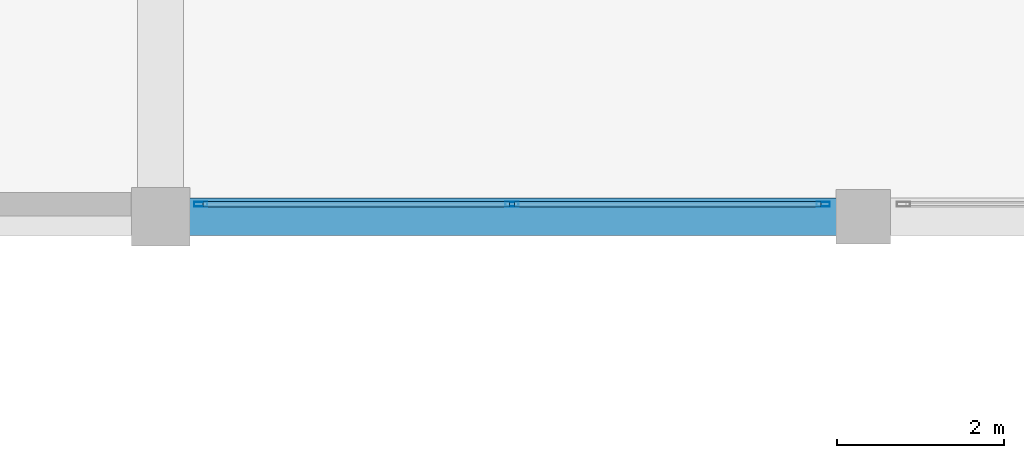
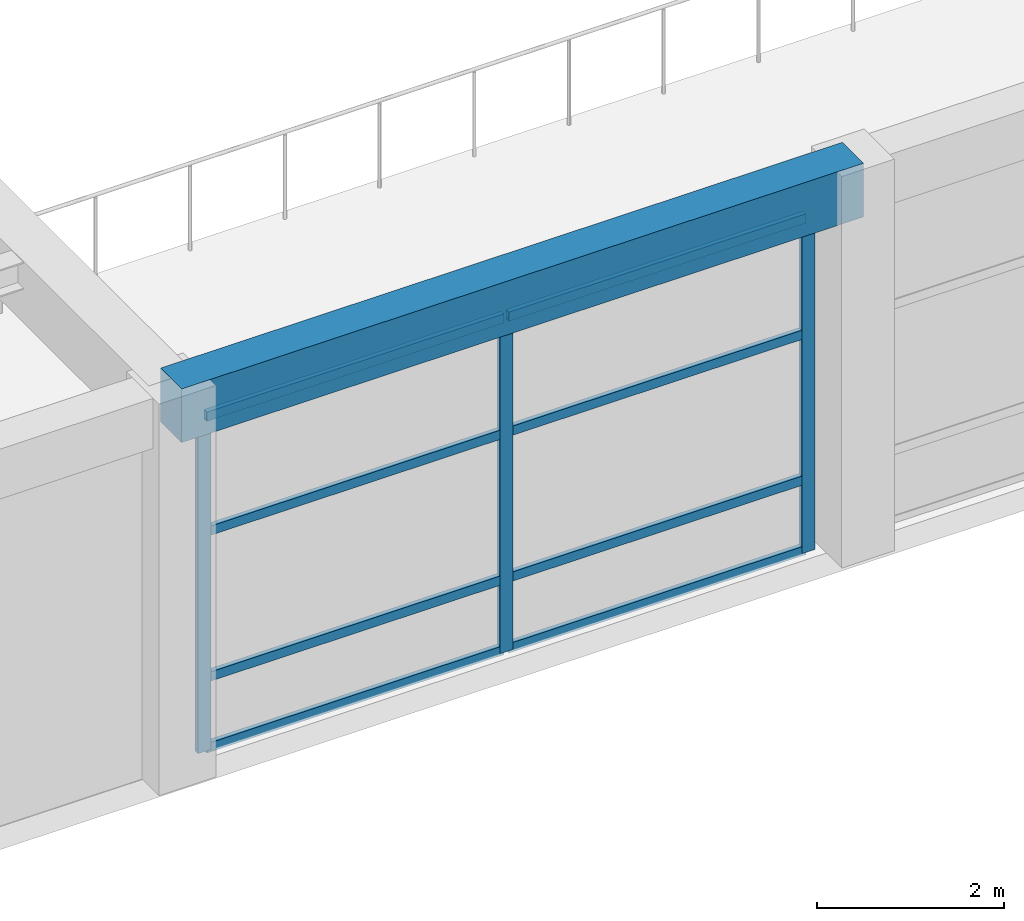
# One storey, part 11 of 65: 11 members, 1 beam, 1 element without a shape of its own.
"""IFC4 building model written with IfcOpenShell, lengths in metres."""

import ifcopenshell
import ifcopenshell.guid

model = None  # the IFC model being written
_history = None  # IfcOwnerHistory: only IFC2X3 demands one
_inside = {}  # id of a spatial element -> (the spatial element, [elements in it])
_under = {}  # id of a project, library or spatial element -> (it, [spatial elements below it])
_declared = {}  # id of a project -> (the project, [libraries it declares])
_typed = {}  # id of a type object -> (the type object, [elements of that type])
_made_of = {}  # id of a material, layer set ... -> (it, [elements and type objects made of it])


def new_model(schema):
    """Start an empty IFC model of exactly this schema.

    Asked for "IFC4X3", IfcOpenShell would pick the latest addendum, in which some entities
    have other attributes; the version numbers below select the first issue.
    IFC2X3 requires an IfcOwnerHistory on every rooted entity: one is made here for all.
    """
    global model, _history
    if schema == "IFC4X3":
        model = ifcopenshell.file(schema_version=(4, 3, 0, 0))
    else:
        model = ifcopenshell.file(schema=schema)
    _inside.clear()
    _under.clear()
    _declared.clear()
    _typed.clear()
    _made_of.clear()
    _history = None
    if model.schema == "IFC2X3":
        org = make("IfcOrganization", Name="unknown")
        user = make(
            "IfcPersonAndOrganization",
            ThePerson=make("IfcPerson", FamilyName="unknown"),
            TheOrganization=org,
        )
        app = make(
            "IfcApplication",
            ApplicationDeveloper=org,
            Version="unknown",
            ApplicationFullName="unknown",
            ApplicationIdentifier="unknown",
        )
        _history = make(
            "IfcOwnerHistory",
            OwningUser=user,
            OwningApplication=app,
            ChangeAction="ADDED",
            CreationDate=0,
        )
    return model


def make(cls, **values):
    """One entity of the class cls with the attributes given. An attribute that is None is left unset."""
    return model.create_entity(
        cls, **{name: value for name, value in values.items() if value is not None}
    )


def rooted(cls, **values):
    """An entity with a GlobalId (a new one), such as an element, a storey or a relation."""
    return make(cls, GlobalId=ifcopenshell.guid.new(), OwnerHistory=_history, **values)


def si_unit(unit_type, name, prefix=None):
    """IfcSIUnit, for example si_unit("LENGTHUNIT", "METRE", prefix="MILLI")."""
    return make("IfcSIUnit", UnitType=unit_type, Prefix=prefix, Name=name)


def assignment(units):
    """IfcUnitAssignment: the units of a project."""
    return None if units is None else make("IfcUnitAssignment", Units=units)


def point(xyz):
    """IfcCartesianPoint."""
    return None if xyz is None else make("IfcCartesianPoint", Coordinates=xyz)


def direction(xyz):
    """IfcDirection."""
    return None if xyz is None else make("IfcDirection", DirectionRatios=xyz)


def frame(location, z_axis=None, x_axis=None):
    """IfcAxis2Placement3D, a coordinate frame: its origin and axes. An axis left out is left unset."""
    return make(
        "IfcAxis2Placement3D",
        Location=point(location),
        Axis=direction(z_axis),
        RefDirection=direction(x_axis),
    )


def frame_2d(location, x_axis=None):
    """IfcAxis2Placement2D, a coordinate frame in the plane: its origin and x axis."""
    return make(
        "IfcAxis2Placement2D", Location=point(location), RefDirection=direction(x_axis)
    )


def origin():
    """The frame at (0, 0, 0) with its axes left unset."""
    return frame((0.0, 0.0, 0.0))


def origin_2d():
    """The frame at (0, 0) in the plane with its x axis left unset."""
    return frame_2d((0.0, 0.0))


def place(relative_to, where):
    """IfcLocalPlacement: puts the frame where relative to a parent placement (None: the world)."""
    return make(
        "IfcLocalPlacement", PlacementRelTo=relative_to, RelativePlacement=where
    )


def context(
    kind, dimensions, precision=None, world=None, true_north=None, identifier=None
):
    """IfcGeometricRepresentationContext, for example the 3D "Model" context."""
    return make(
        "IfcGeometricRepresentationContext",
        ContextIdentifier=identifier,
        ContextType=kind,
        CoordinateSpaceDimension=dimensions,
        Precision=precision,
        WorldCoordinateSystem=world,
        TrueNorth=true_north,
    )


def subcontext(parent, identifier, kind, view, scale=None):
    """IfcGeometricRepresentationSubContext, for example "Body" below "Model"."""
    return make(
        "IfcGeometricRepresentationSubContext",
        ContextIdentifier=identifier,
        ContextType=kind,
        ParentContext=parent,
        TargetScale=scale,
        TargetView=view,
    )


def project(units=None, contexts=None):
    """IfcProject with its units and contexts."""
    return rooted(
        "IfcProject",
        Name="project",
        RepresentationContexts=contexts,
        UnitsInContext=assignment(units),
    )


def spatial(cls, under=None, at=None, **own):
    """A site, building, storey or space (cls), placed at a placement, below another one or the project."""
    s = rooted(cls, ObjectPlacement=at, **own)
    if under is not None:
        _under.setdefault(under.id(), (under, []))[1].append(s)
    return s


def profile(cls, at=None, kind="AREA", **sizes):
    """A parametric profile (cls). Its sizes go by their IFC names, for example OverallWidth=200.0."""
    return make(cls, ProfileType=kind, Position=at, **sizes)


def rectangle(**sizes):
    """IfcRectangleProfileDef."""
    return profile("IfcRectangleProfileDef", **sizes)


def hollow_rectangle(**sizes):
    """IfcRectangleHollowProfileDef."""
    return profile("IfcRectangleHollowProfileDef", **sizes)


def extrude(swept, where, along, depth):
    """IfcExtrudedAreaSolid: the profile swept, set in the frame where, extruded along a direction by depth."""
    return make(
        "IfcExtrudedAreaSolid",
        SweptArea=swept,
        Position=where,
        ExtrudedDirection=direction(along),
        Depth=depth,
    )


def shape(context_of_items, identifier, shape_type, items):
    """IfcShapeRepresentation: the items that make up one representation, for example the "Body"."""
    return make(
        "IfcShapeRepresentation",
        ContextOfItems=context_of_items,
        RepresentationIdentifier=identifier,
        RepresentationType=shape_type,
        Items=items,
    )


def material(Name=None, Category=None):
    """IfcMaterial."""
    return make("IfcMaterial", Name=Name, Category=Category)


def material_profile(
    of_material, cross_section, Name=None, Category=None, Priority=None
):
    """IfcMaterialProfile: a cross section and its material."""
    return make(
        "IfcMaterialProfile",
        Name=Name,
        Material=of_material,
        Profile=cross_section,
        Priority=Priority,
        Category=Category,
    )


def profile_set(profiles, Name=None, composite=None):
    """IfcMaterialProfileSet."""
    return make(
        "IfcMaterialProfileSet",
        Name=Name,
        MaterialProfiles=profiles,
        CompositeProfile=composite,
    )


def made_of(thing, what):
    """Note that an element or type object is made of a material, layer set ...; save() writes the relation."""
    if what is not None:
        _made_of.setdefault(what.id(), (what, []))[1].append(thing)
    return thing


def type_object(cls, material=None, **own):
    """A type object (cls), such as IfcWallType, which elements share."""
    return made_of(rooted(cls, **own), material)


def element(
    cls,
    number,
    at=None,
    inside=None,
    cuts=None,
    type_object=None,
    material=None,
    context=None,
    identifier="Body",
    shape_type=None,
    held_by="IfcProductDefinitionShape",
    body=None,
    shapes=None,
    **own,
):
    """One element of the class cls, such as IfcWall. Its Tag is "e" and its number.

    at: its placement. inside: the storey or other place that contains it. cuts: it is an
    opening in that element (IfcRelVoidsElement). A single representation is given by context,
    identifier, shape_type and body (its items); several are given by shapes. held_by: the class
    of the entity that holds the representations. save() writes the other relations.
    """
    e = rooted(cls, Tag="e%d" % number, ObjectPlacement=at, **own)
    if body is not None:
        shapes = [shape(context, identifier, shape_type, body)]
    if shapes is not None:
        e.Representation = make(held_by, Representations=shapes)
    if inside is not None:
        _inside.setdefault(inside.id(), (inside, []))[1].append(e)
    if cuts is not None:
        rooted(
            "IfcRelVoidsElement", RelatingBuildingElement=cuts, RelatedOpeningElement=e
        )
    if type_object is not None:
        _typed.setdefault(type_object.id(), (type_object, []))[1].append(e)
    return made_of(e, material)


def aggregate(whole, parts):
    """IfcRelAggregates: a whole, such as a stair, and the parts it consists of."""
    return rooted("IfcRelAggregates", RelatingObject=whole, RelatedObjects=parts)


def save(model, path):
    """Write the relations noted so far, then the file.

    IfcRelAggregates (storeys below a building ...), IfcRelContainedInSpatialStructure (elements
    in a storey), IfcRelDefinesByType, IfcRelAssociatesMaterial and IfcRelDeclares: one each for
    every whole, place, type object, material and project.
    """
    for whole, parts in _under.values():
        aggregate(whole, parts)
    for where, things in _inside.values():
        rooted(
            "IfcRelContainedInSpatialStructure",
            RelatedElements=things,
            RelatingStructure=where,
        )
    for kind, things in _typed.values():
        rooted("IfcRelDefinesByType", RelatedObjects=things, RelatingType=kind)
    for what, things in _made_of.values():
        rooted("IfcRelAssociatesMaterial", RelatedObjects=things, RelatingMaterial=what)
    for by, libraries in _declared.values():
        rooted("IfcRelDeclares", RelatingContext=by, RelatedDefinitions=libraries)
    model.write(path)


model = new_model("IFC4")

# Units and contexts
model_context = context("Model", 3, precision=1e-05, world=origin(), true_north=direction((0.0, 1.0)))
body_context = subcontext(model_context, "Body", "Model", "MODEL_VIEW")
ifc_project = project(units=[si_unit("LENGTHUNIT", "METRE"), si_unit("AREAUNIT", "SQUARE_METRE"), si_unit("VOLUMEUNIT", "CUBIC_METRE"), si_unit("PLANEANGLEUNIT", "RADIAN"), si_unit("MASSUNIT", "GRAM", prefix="KILO")], contexts=[model_context])

# Site, building, storey
site_placement = place(None, origin())
site = spatial("IfcSite", under=ifc_project, at=site_placement, CompositionType="ELEMENT")
building_placement = place(site_placement, origin())
building = spatial("IfcBuilding", under=site, at=building_placement, Name="Almacenes y Pasaje Nevantli", CompositionType="ELEMENT")
storey_placement = place(building_placement, frame((0.0, 0.0, 16.800048828125)))
storey = spatial("IfcBuildingStorey", under=building, at=storey_placement, Name="L04", CompositionType="ELEMENT", Elevation=16.800048828125)

# Beam
ifc_material_1 = material(Name="Concrete C35/45", Category="concrete")
ifc_material_profile_1 = material_profile(ifc_material_1, rectangle(XDim=0.449951171875, YDim=0.699951171875, at=origin_2d()), Name="RC-BM-450x700")
ifc_profile_set_1 = profile_set([ifc_material_profile_1], Name="Concrete C35/45")
beam_type = type_object("IfcBeamType", Name="BM-RC-450x700", PredefinedType="SPANDREL", material=ifc_profile_set_1)
beam_placement = place(storey_placement, frame((67.199951171875, 0.0, 4.75), z_axis=(1.0, 0.0, 0.0), x_axis=(0.0, 1.0, 0.0)))
element("IfcBeam", 1, at=beam_placement, inside=storey, type_object=beam_type, Name="L04 East-West Reinforced Concrete Beam #2755", PredefinedType="SPANDREL", context=body_context, shape_type="SweptSolid", body=[
    extrude(rectangle(XDim=0.449951171875, YDim=0.699951171875, at=origin_2d()), origin(), (0.0, 0.0, 1.0), 8.400146484375),
])

# Curtain wall, members
ifc_material_2 = material(Name="Thermally Broken Aluminium and Low-E Glass", Category="aluminium")
curtain_wall_type = type_object("IfcCurtainWallType", Name="CW-STF-ARCADE", PredefinedType="USERDEFINED", material=ifc_material_2)
curtain_wall_placement = place(storey_placement, origin())
curtain_wall = element("IfcCurtainWall", 2, at=curtain_wall_placement, inside=storey, type_object=curtain_wall_type, Name="L04 South Arcade Portal Curtain Wall Bay 9", ObjectType="STOREFRONT GLAZING", PredefinedType="USERDEFINED")
ifc_material_3 = material(Name="Thermally Broken Anodized Aluminium", Category="aluminium")
ifc_material_profile_2 = material_profile(ifc_material_3, hollow_rectangle(XDim=0.06005859375, YDim=0.159912109375, WallThickness=0.00390625, at=origin_2d()), Name="ALU-MUL-60x160")
ifc_profile_set_2 = profile_set([ifc_material_profile_2], Name="Thermally Broken Anodized Aluminium")
member_type_1 = type_object("IfcMemberType", Name="CW-MUL-180", PredefinedType="MULLION", material=ifc_profile_set_2)
member_1_placement = place(storey_placement, frame((67.679931640625, 0.14990234375, 0.0), z_axis=(0.0, 0.0, 1.0), x_axis=(0.0, 1.0, 0.0)))
member_1 = element("IfcMember", 3, at=member_1_placement, type_object=member_type_1, Name="CW-L04-070 mullion 1", PredefinedType="MULLION", context=body_context, shape_type="SweptSolid", body=[
    extrude(hollow_rectangle(XDim=0.06005859375, YDim=0.159912109375, WallThickness=0.00390625, at=origin_2d()), origin(), (0.0, 0.0, 1.0), 4.3798828125),
])
member_2_placement = place(storey_placement, frame((71.39990234375, 0.14990234375, 0.0), z_axis=(0.0, 0.0, 1.0), x_axis=(0.0, 1.0, 0.0)))
member_2 = element("IfcMember", 4, at=member_2_placement, type_object=member_type_1, Name="CW-L04-070 mullion 2", PredefinedType="MULLION", context=body_context, shape_type="SweptSolid", body=[
    extrude(hollow_rectangle(XDim=0.06005859375, YDim=0.159912109375, WallThickness=0.00390625, at=origin_2d()), origin(), (0.0, 0.0, 1.0), 4.3798828125),
])
member_3_placement = place(storey_placement, frame((75.1201171875, 0.14990234375, 0.0), z_axis=(0.0, 0.0, 1.0), x_axis=(0.0, 1.0, 0.0)))
member_3 = element("IfcMember", 5, at=member_3_placement, type_object=member_type_1, Name="CW-L04-070 mullion 3", PredefinedType="MULLION", context=body_context, shape_type="SweptSolid", body=[
    extrude(hollow_rectangle(XDim=0.06005859375, YDim=0.159912109375, WallThickness=0.00390625, at=origin_2d()), origin(), (0.0, 0.0, 1.0), 4.3798828125),
])
ifc_material_4 = material(Name="Thermally Broken Anodized Aluminium", Category="aluminium")
ifc_material_profile_3 = material_profile(ifc_material_4, hollow_rectangle(XDim=0.06005859375, YDim=0.1201171875, WallThickness=0.00341796875, at=origin_2d()), Name="ALU-TRN-60x120")
ifc_profile_set_3 = profile_set([ifc_material_profile_3], Name="Thermally Broken Anodized Aluminium")
member_type_2 = type_object("IfcMemberType", Name="CW-TRN-130", PredefinedType="USERDEFINED", material=ifc_profile_set_3)
member_4_placement = place(storey_placement, frame((67.7099609375, 0.14990234375, 0.030029296875), z_axis=(1.0, 0.0, 0.0), x_axis=(0.0, 1.0, 0.0)))
member_4 = element("IfcMember", 6, at=member_4_placement, type_object=member_type_2, Name="CW-L04-070 transom 1.1", ObjectType="TRANSOM", PredefinedType="USERDEFINED", context=body_context, shape_type="SweptSolid", body=[
    extrude(hollow_rectangle(XDim=0.06005859375, YDim=0.1201171875, WallThickness=0.00341796875, at=origin_2d()), origin(), (0.0, 0.0, 1.0), 3.66015625),
])
member_5_placement = place(storey_placement, frame((67.7099609375, 0.14990234375, 0.949951171875), z_axis=(1.0, 0.0, 0.0), x_axis=(0.0, 1.0, 0.0)))
member_5 = element("IfcMember", 7, at=member_5_placement, type_object=member_type_2, Name="CW-L04-070 transom 1.2", ObjectType="TRANSOM", PredefinedType="USERDEFINED", context=body_context, shape_type="SweptSolid", body=[
    extrude(hollow_rectangle(XDim=0.06005859375, YDim=0.1201171875, WallThickness=0.00341796875, at=origin_2d()), origin(), (0.0, 0.0, 1.0), 3.66015625),
])
member_6_placement = place(storey_placement, frame((67.7099609375, 0.14990234375, 2.849853515625), z_axis=(1.0, 0.0, 0.0), x_axis=(0.0, 1.0, 0.0)))
member_6 = element("IfcMember", 8, at=member_6_placement, type_object=member_type_2, Name="CW-L04-070 transom 1.3", ObjectType="TRANSOM", PredefinedType="USERDEFINED", context=body_context, shape_type="SweptSolid", body=[
    extrude(hollow_rectangle(XDim=0.06005859375, YDim=0.1201171875, WallThickness=0.00341796875, at=origin_2d()), origin(), (0.0, 0.0, 1.0), 3.66015625),
])
member_7_placement = place(storey_placement, frame((67.7099609375, 0.14990234375, 4.349853515625), z_axis=(1.0, 0.0, 0.0), x_axis=(0.0, 1.0, 0.0)))
member_7 = element("IfcMember", 9, at=member_7_placement, type_object=member_type_2, Name="CW-L04-070 transom 1.4", ObjectType="TRANSOM", PredefinedType="USERDEFINED", context=body_context, shape_type="SweptSolid", body=[
    extrude(hollow_rectangle(XDim=0.06005859375, YDim=0.1201171875, WallThickness=0.00341796875, at=origin_2d()), origin(), (0.0, 0.0, 1.0), 3.66015625),
])
member_8_placement = place(storey_placement, frame((71.429931640625, 0.14990234375, 0.030029296875), z_axis=(1.0, 0.0, 0.0), x_axis=(0.0, 1.0, 0.0)))
member_8 = element("IfcMember", 10, at=member_8_placement, type_object=member_type_2, Name="CW-L04-070 transom 2.1", ObjectType="TRANSOM", PredefinedType="USERDEFINED", context=body_context, shape_type="SweptSolid", body=[
    extrude(hollow_rectangle(XDim=0.06005859375, YDim=0.1201171875, WallThickness=0.00341796875, at=origin_2d()), origin(), (0.0, 0.0, 1.0), 3.66015625),
])
member_9_placement = place(storey_placement, frame((71.429931640625, 0.14990234375, 0.949951171875), z_axis=(1.0, 0.0, 0.0), x_axis=(0.0, 1.0, 0.0)))
member_9 = element("IfcMember", 11, at=member_9_placement, type_object=member_type_2, Name="CW-L04-070 transom 2.2", ObjectType="TRANSOM", PredefinedType="USERDEFINED", context=body_context, shape_type="SweptSolid", body=[
    extrude(hollow_rectangle(XDim=0.06005859375, YDim=0.1201171875, WallThickness=0.00341796875, at=origin_2d()), origin(), (0.0, 0.0, 1.0), 3.66015625),
])
member_10_placement = place(storey_placement, frame((71.429931640625, 0.14990234375, 2.849853515625), z_axis=(1.0, 0.0, 0.0), x_axis=(0.0, 1.0, 0.0)))
member_10 = element("IfcMember", 12, at=member_10_placement, type_object=member_type_2, Name="CW-L04-070 transom 2.3", ObjectType="TRANSOM", PredefinedType="USERDEFINED", context=body_context, shape_type="SweptSolid", body=[
    extrude(hollow_rectangle(XDim=0.06005859375, YDim=0.1201171875, WallThickness=0.00341796875, at=origin_2d()), origin(), (0.0, 0.0, 1.0), 3.66015625),
])
member_11_placement = place(storey_placement, frame((71.429931640625, 0.14990234375, 4.349853515625), z_axis=(1.0, 0.0, 0.0), x_axis=(0.0, 1.0, 0.0)))
member_11 = element("IfcMember", 13, at=member_11_placement, type_object=member_type_2, Name="CW-L04-070 transom 2.4", ObjectType="TRANSOM", PredefinedType="USERDEFINED", context=body_context, shape_type="SweptSolid", body=[
    extrude(hollow_rectangle(XDim=0.06005859375, YDim=0.1201171875, WallThickness=0.00341796875, at=origin_2d()), origin(), (0.0, 0.0, 1.0), 3.66015625),
])
aggregate(curtain_wall, [member_1, member_2, member_3, member_4, member_5, member_6, member_7, member_8, member_9, member_10, member_11])

save(model, "model.ifc")
